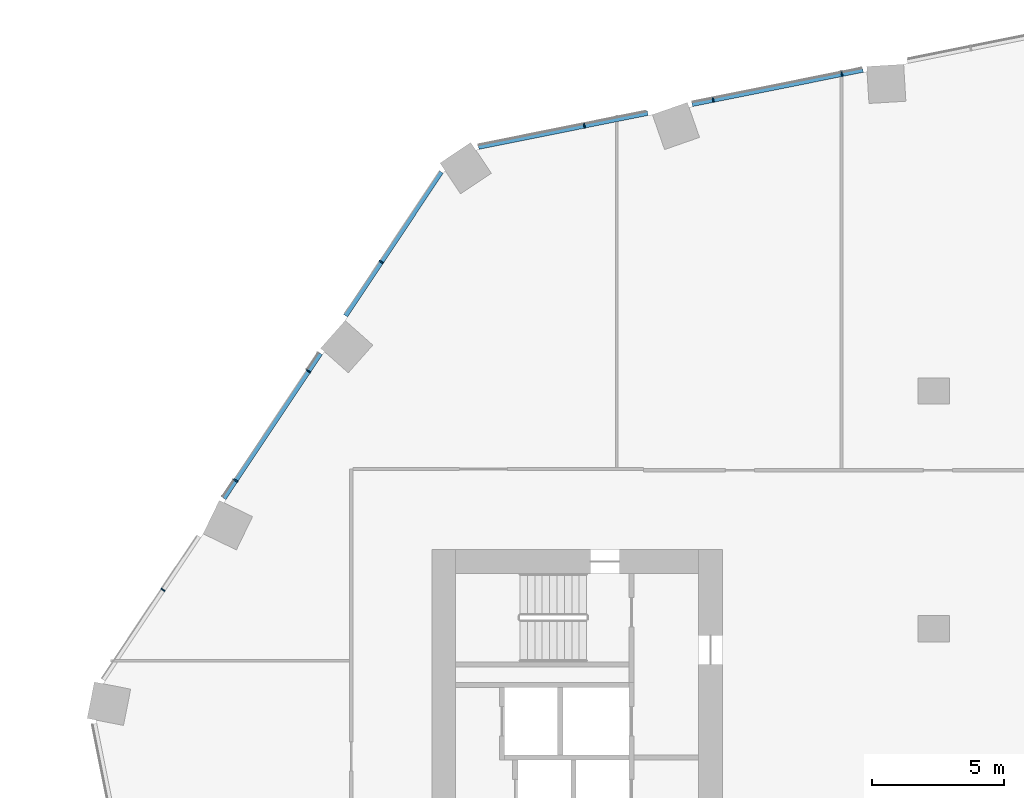
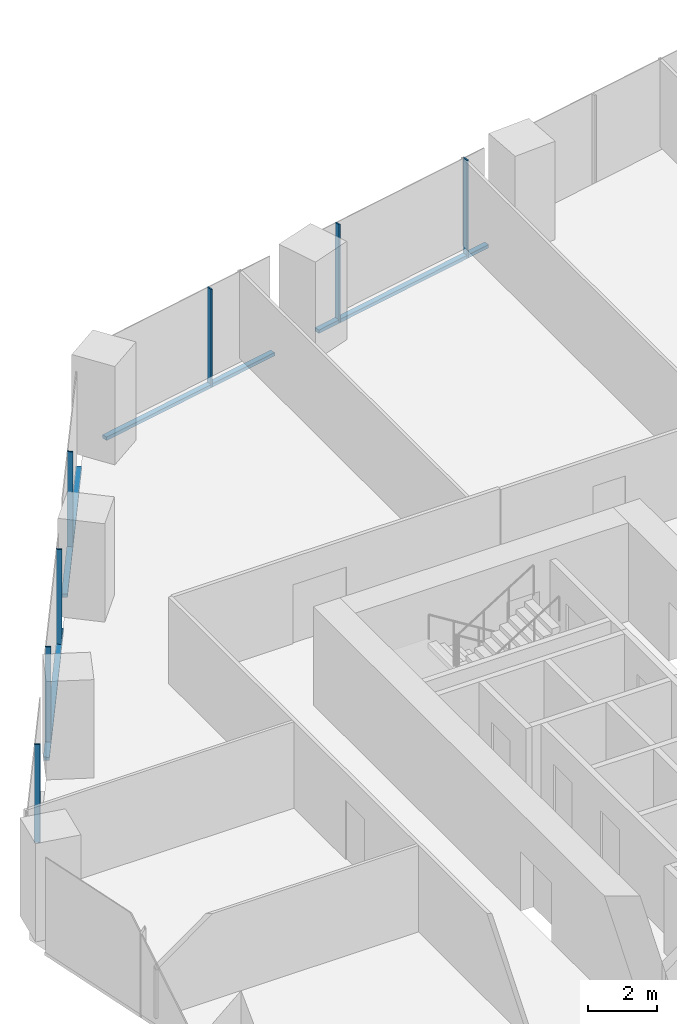
# One storey, part 13 of 38: 11 members, 2 elements without a shape of their own.
"""IFC4 building model written with IfcOpenShell, lengths in metres."""

from ifc_helpers import new_model, si_unit, direction, frame, origin, origin_2d, place, context, subcontext, project, spatial, rectangle, extrude, material, material_profile, profile_set, type_object, element, aggregate, save


model = new_model("IFC4")

# Units and contexts
model_context = context("Model", 3, precision=1e-05, world=origin(), true_north=direction((0.0, 1.0)))
body_context = subcontext(model_context, "Body", "Model", "MODEL_VIEW")
ifc_project = project(units=[si_unit("LENGTHUNIT", "METRE"), si_unit("AREAUNIT", "SQUARE_METRE"), si_unit("VOLUMEUNIT", "CUBIC_METRE"), si_unit("PLANEANGLEUNIT", "RADIAN"), si_unit("MASSUNIT", "GRAM", prefix="KILO")], contexts=[model_context])

# Site, building, storey
site_placement = place(None, origin())
site = spatial("IfcSite", under=ifc_project, at=site_placement, CompositionType="ELEMENT")
building_placement = place(site_placement, origin())
building = spatial("IfcBuilding", under=site, at=building_placement, Name="Orlundy Tower", CompositionType="ELEMENT")
storey_placement = place(building_placement, frame((0.0, 0.0, 62.300048828125)))
storey = spatial("IfcBuildingStorey", under=building, at=storey_placement, Name="L14", CompositionType="ELEMENT", Elevation=62.300048828125)

# Curtain wall, members
ifc_material_1 = material(Name="Aluminium bronze anodised", Category="aluminium")
curtain_wall_type = type_object("IfcCurtainWallType", Name="CW1 wall", PredefinedType="NOTDEFINED", material=ifc_material_1)
curtain_wall_1_placement = place(storey_placement, origin())
curtain_wall_1 = element("IfcCurtainWall", 1, at=curtain_wall_1_placement, inside=storey, type_object=curtain_wall_type, Name="CW1 run 014", PredefinedType="NOTDEFINED")
ifc_material_2 = material(Name="Aluminium bronze anodised", Category="aluminium")
ifc_material_profile_1 = material_profile(ifc_material_2, rectangle(XDim=0.179931640625, YDim=0.050048828125, at=origin_2d()), Name="CW1 mullion 50x180")
ifc_profile_set_1 = profile_set([ifc_material_profile_1], Name="Aluminium bronze anodised")
member_type_1 = type_object("IfcMemberType", Name="CW1 mullion 50x180", PredefinedType="MULLION", material=ifc_profile_set_1)
member_1_placement = place(storey_placement, frame((-29.176513671875, 10.4755859375, -0.400146484375), z_axis=(0.0, 0.0, 1.0), x_axis=(-0.832279269513, 0.554356579774, 0.0)))
member_1 = element("IfcMember", 2, at=member_1_placement, type_object=member_type_1, Name="CW1 mullion 35", PredefinedType="MULLION", context=body_context, shape_type="SweptSolid", body=[
    extrude(rectangle(XDim=0.179931640625, YDim=0.050048828125, at=origin_2d()), origin(), (0.0, 0.0, 1.0), 3.5),
])
member_2_placement = place(storey_placement, frame((-26.421142578125, 14.612548828125, -0.400146484375), z_axis=(0.0, 0.0, 1.0), x_axis=(-0.832279269513, 0.554356579774, 0.0)))
member_2 = element("IfcMember", 3, at=member_2_placement, type_object=member_type_1, Name="CW1 mullion 36", PredefinedType="MULLION", context=body_context, shape_type="SweptSolid", body=[
    extrude(rectangle(XDim=0.179931640625, YDim=0.050048828125, at=origin_2d()), origin(), (0.0, 0.0, 1.0), 3.5),
])
member_3_placement = place(storey_placement, frame((-23.665771484375, 18.749267578125, -0.400146484375), z_axis=(0.0, 0.0, 1.0), x_axis=(-0.832279269513, 0.554356579774, 0.0)))
member_3 = element("IfcMember", 4, at=member_3_placement, type_object=member_type_1, Name="CW1 mullion 37", PredefinedType="MULLION", context=body_context, shape_type="SweptSolid", body=[
    extrude(rectangle(XDim=0.179931640625, YDim=0.050048828125, at=origin_2d()), origin(), (0.0, 0.0, 1.0), 3.5),
])
member_4_placement = place(storey_placement, frame((-20.910400390625, 22.885986328125, -0.400146484375), z_axis=(0.0, 0.0, 1.0), x_axis=(-0.832279269513, 0.554356579774, 0.0)))
member_4 = element("IfcMember", 5, at=member_4_placement, type_object=member_type_1, Name="CW1 mullion 38", PredefinedType="MULLION", context=body_context, shape_type="SweptSolid", body=[
    extrude(rectangle(XDim=0.179931640625, YDim=0.050048828125, at=origin_2d()), origin(), (0.0, 0.0, 1.0), 3.5),
])

curtain_wall_2_placement = place(storey_placement, origin())
curtain_wall_2 = element("IfcCurtainWall", 6, at=curtain_wall_2_placement, inside=storey, type_object=curtain_wall_type, Name="CW1 run 015", PredefinedType="NOTDEFINED")
member_5_placement = place(storey_placement, frame((-13.223876953125, 28.0380859375, -0.400146484375), z_axis=(0.0, 0.0, 1.0), x_axis=(-0.196510737775, 0.980501672583, 0.0)))
member_5 = element("IfcMember", 7, at=member_5_placement, type_object=member_type_1, Name="CW1 mullion 40", PredefinedType="MULLION", context=body_context, shape_type="SweptSolid", body=[
    extrude(rectangle(XDim=0.179931640625, YDim=0.050048828125, at=origin_2d()), origin(), (0.0, 0.0, 1.0), 3.5),
])
member_6_placement = place(storey_placement, frame((-8.35009765625, 29.014892578125, -0.400146484375), z_axis=(0.0, 0.0, 1.0), x_axis=(-0.196510737775, 0.980501672583, 0.0)))
member_6 = element("IfcMember", 8, at=member_6_placement, type_object=member_type_1, Name="CW1 mullion 41", PredefinedType="MULLION", context=body_context, shape_type="SweptSolid", body=[
    extrude(rectangle(XDim=0.179931640625, YDim=0.050048828125, at=origin_2d()), origin(), (0.0, 0.0, 1.0), 3.5),
])
member_7_placement = place(storey_placement, frame((-3.476318359375, 29.99169921875, -0.400146484375), z_axis=(0.0, 0.0, 1.0), x_axis=(-0.196510737775, 0.980501672583, 0.0)))
member_7 = element("IfcMember", 9, at=member_7_placement, type_object=member_type_1, Name="CW1 mullion 42", PredefinedType="MULLION", context=body_context, shape_type="SweptSolid", body=[
    extrude(rectangle(XDim=0.179931640625, YDim=0.050048828125, at=origin_2d()), origin(), (0.0, 0.0, 1.0), 3.5),
])

# Member
ifc_material_3 = material(Name="Aluminium bronze anodised", Category="aluminium")
ifc_material_profile_2 = material_profile(ifc_material_3, rectangle(XDim=0.179931640625, YDim=0.1201171875, at=origin_2d()), Name="CW1 transom 180x120")
ifc_profile_set_2 = profile_set([ifc_material_profile_2], Name="Aluminium bronze anodised")
member_type_2 = type_object("IfcMemberType", Name="CW1 transom 180x120", PredefinedType="USERDEFINED", material=ifc_profile_set_2)
member_8_placement = place(storey_placement, frame((-26.87060546875, 13.9375, -0.340087890625), z_axis=(0.554332670304, 0.832295194407, 0.0), x_axis=(-0.832295194407, 0.554332670304, 0.0)))
member_8 = element("IfcMember", 10, at=member_8_placement, type_object=member_type_2, Name="CW1 transom", ObjectType="TRANSOM", PredefinedType="USERDEFINED", context=body_context, shape_type="SweptSolid", body=[
    extrude(rectangle(XDim=0.179931640625, YDim=0.1201171875, at=origin_2d()), origin(), (0.0, 0.0, 1.0), 6.5927734375),
])

member_9_placement = place(storey_placement, frame((-22.2646484375, 20.852783203125, -0.340087890625), z_axis=(0.55436374244, 0.832274498629, 0.0), x_axis=(-0.832274498629, 0.55436374244, 0.0)))
member_9 = element("IfcMember", 11, at=member_9_placement, type_object=member_type_2, Name="CW1 transom", ObjectType="TRANSOM", PredefinedType="USERDEFINED", context=body_context, shape_type="SweptSolid", body=[
    extrude(rectangle(XDim=0.179931640625, YDim=0.1201171875, at=origin_2d()), origin(), (0.0, 0.0, 1.0), 6.531494140625),
])

aggregate(curtain_wall_1, [member_1, member_2, member_3, member_4, member_8, member_9])

member_10_placement = place(storey_placement, frame((-17.2314453125, 27.23486328125, -0.340087890625), z_axis=(0.98050439315, 0.196497162863, 0.0), x_axis=(-0.196497162863, 0.98050439315, 0.0)))
member_10 = element("IfcMember", 12, at=member_10_placement, type_object=member_type_2, Name="CW1 transom", ObjectType="TRANSOM", PredefinedType="USERDEFINED", context=body_context, shape_type="SweptSolid", body=[
    extrude(rectangle(XDim=0.179931640625, YDim=0.1201171875, at=origin_2d()), origin(), (0.0, 0.0, 1.0), 6.5302734375),
])

member_11_placement = place(storey_placement, frame((-9.145751953125, 28.85546875, -0.340087890625), z_axis=(0.980505128338, 0.196493494301, 0.0), x_axis=(-0.196493494301, 0.980505128338, 0.0)))
member_11 = element("IfcMember", 13, at=member_11_placement, type_object=member_type_2, Name="CW1 transom", ObjectType="TRANSOM", PredefinedType="USERDEFINED", context=body_context, shape_type="SweptSolid", body=[
    extrude(rectangle(XDim=0.179931640625, YDim=0.1201171875, at=origin_2d()), origin(), (0.0, 0.0, 1.0), 6.593994140625),
])

aggregate(curtain_wall_2, [member_5, member_6, member_7, member_10, member_11])

save(model, "model.ifc")
